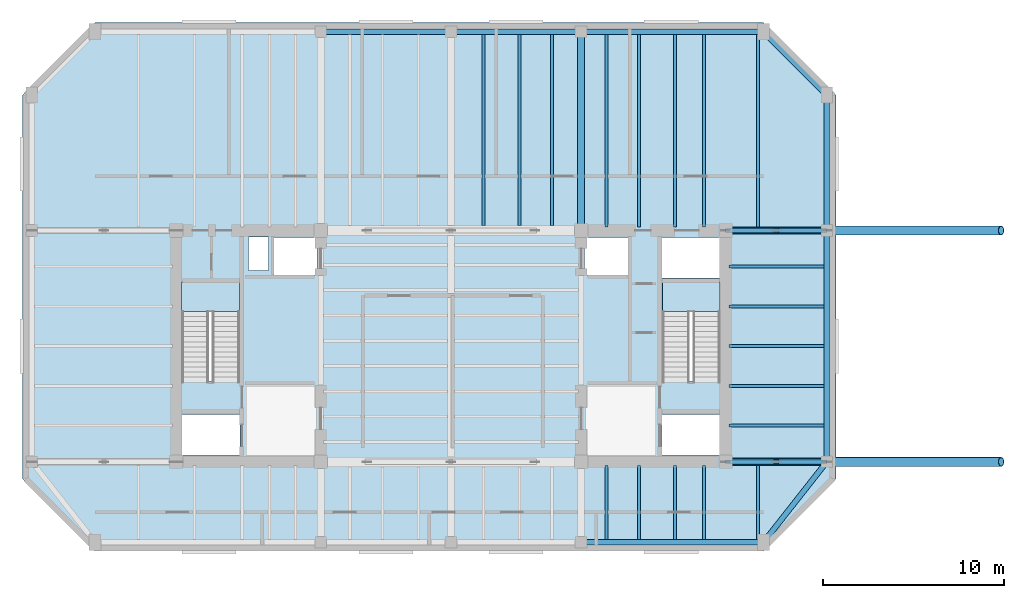
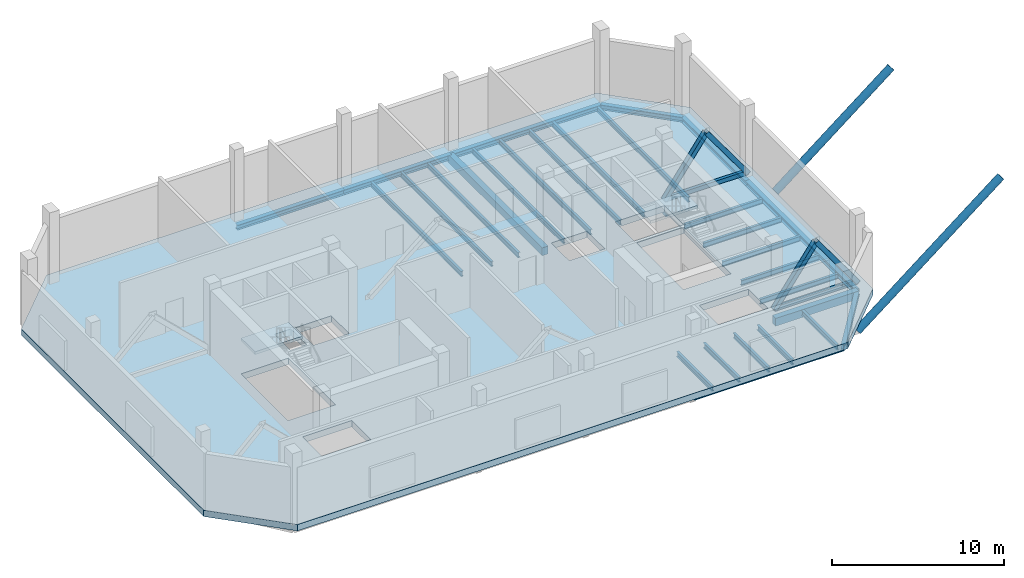
# One storey, part 2 of 9: 29 beams, 8 members, 3 slabs, 2 elements without a shape of their own.
"""IFC4 building model written with IfcOpenShell, lengths in metres."""

from ifc_helpers import new_model, si_unit, direction, frame, origin, origin_2d, place, context, subcontext, project, spatial, polyline, rectangle, hollow_rectangle, hollow_circle, i_section, outline, extrude, material, layer, layer_set, material_profile, profile_set, type_object, element, aggregate, save


model = new_model("IFC4")

# Units and contexts
model_context = context("Model", 3, precision=1e-05, world=origin(), true_north=direction((0.0, 1.0)))
body_context = subcontext(model_context, "Body", "Model", "MODEL_VIEW")
ifc_project = project(units=[si_unit("LENGTHUNIT", "METRE"), si_unit("AREAUNIT", "SQUARE_METRE"), si_unit("VOLUMEUNIT", "CUBIC_METRE"), si_unit("PLANEANGLEUNIT", "RADIAN"), si_unit("MASSUNIT", "GRAM", prefix="KILO")], contexts=[model_context])

# Site, building, storey
site_placement = place(None, origin())
site = spatial("IfcSite", under=ifc_project, at=site_placement, CompositionType="ELEMENT")
building_placement = place(site_placement, origin())
building = spatial("IfcBuilding", under=site, at=building_placement, Name="Kranthara Brick Stack", CompositionType="ELEMENT")
storey_placement = place(building_placement, frame((0.0, 0.0, 282.300048828125)))
storey = spatial("IfcBuildingStorey", under=building, at=storey_placement, Name="L75", CompositionType="ELEMENT", Elevation=282.300048828125)

# Beams
ifc_material_1 = material(Name="Post-tensioned concrete C45/55", Category="concrete")
ifc_material_profile_1 = material_profile(ifc_material_1, rectangle(XDim=0.39990234375, YDim=0.550048828125, at=origin_2d()), Name="PT 400x550")
ifc_profile_set_1 = profile_set([ifc_material_profile_1], Name="Post-tensioned concrete C45/55")
beam_type_1 = type_object("IfcBeamType", Name="BM-FLR-PT550", PredefinedType="BEAM", material=ifc_profile_set_1)
beam_1_placement = place(storey_placement, frame((35.199951171875, 33.60009765625, -0.72509765625), z_axis=(0.0, 1.0, 0.0), x_axis=(-1.0, 0.0, 0.0)))
element("IfcBeam", 1, at=beam_1_placement, inside=storey, type_object=beam_type_1, Name="L75 Primary Grid Girder 027", PredefinedType="BEAM", context=body_context, shape_type="SweptSolid", body=[
    extrude(rectangle(XDim=0.39990234375, YDim=0.550048828125, at=origin_2d()), origin(), (0.0, 0.0, 1.0), 11.0),
])
for number, where, z_axis, x_axis, name in (
    (2, (43.199951171875, 20.800048828125, -0.72509765625), (1.0, 0.0, 0.0), (0.0, 1.0, 0.0), "L75 Primary Grid Girder 029"),
    (3, (43.199951171875, 33.60009765625, -0.72509765625), (1.0, 0.0, 0.0), (0.0, 1.0, 0.0), "L75 Primary Grid Girder 031"),
):
    element("IfcBeam", number, at=place(storey_placement, frame(where, z_axis=z_axis, x_axis=x_axis)), inside=storey, type_object=beam_type_1, Name=name, PredefinedType="BEAM", context=body_context, shape_type="SweptSolid", body=[
        extrude(rectangle(XDim=0.39990234375, YDim=0.550048828125, at=origin_2d()), origin(), (0.0, 0.0, 1.0), 5.60009765625),
    ])
ifc_material_2 = material(Name="Steel S355", Category="steel")
ifc_material_profile_2 = material_profile(ifc_material_2, i_section(OverallWidth=0.169921875, OverallDepth=0.360107421875, WebThickness=0.008056640625, FlangeThickness=0.0126953125, at=origin_2d()), Name="IPE 360")
ifc_profile_set_2 = profile_set([ifc_material_profile_2], Name="Steel S355")
beam_type_2 = type_object("IfcBeamType", Name="BM-JST-IPE360", PredefinedType="JOIST", material=ifc_profile_set_2)
for number, where, z_axis, x_axis, name in (
    (4, (29.800048828125, 33.875, -0.630126953125), (0.0, 1.0, 0.0), (-1.0, 0.0, 0.0), "L75 North Wing Floor Joist 067"),
    (5, (31.800048828125, 33.875, -0.630126953125), (0.0, 1.0, 0.0), (-1.0, 0.0, 0.0), "L75 North Wing Floor Joist 069"),
    (6, (33.60009765625, 33.875, -0.630126953125), (0.0, 1.0, 0.0), (-1.0, 0.0, 0.0), "L75 North Wing Floor Joist 071"),
):
    element("IfcBeam", number, at=place(storey_placement, frame(where, z_axis=z_axis, x_axis=x_axis)), inside=storey, type_object=beam_type_2, Name=name, PredefinedType="JOIST", context=body_context, shape_type="SweptSolid", body=[
        extrude(i_section(OverallWidth=0.169921875, OverallDepth=0.360107421875, WebThickness=0.008056640625, FlangeThickness=0.0126953125, at=origin_2d()), origin(), (0.0, 0.0, 1.0), 10.574951171875),
    ])
beam_2_placement = place(storey_placement, frame((36.60009765625, 16.5, -0.630126953125), z_axis=(0.0, 1.0, 0.0), x_axis=(-1.0, 0.0, 0.0)))
element("IfcBeam", 7, at=beam_2_placement, inside=storey, type_object=beam_type_2, Name="L75 South Wing Floor Joist 072", PredefinedType="JOIST", context=body_context, shape_type="SweptSolid", body=[
    extrude(i_section(OverallWidth=0.169921875, OverallDepth=0.360107421875, WebThickness=0.008056640625, FlangeThickness=0.0126953125, at=origin_2d()), origin(), (0.0, 0.0, 1.0), 4.10009765625),
])
beam_3_placement = place(storey_placement, frame((36.60009765625, 33.800048828125, -0.630126953125), z_axis=(0.0, 1.0, 0.0), x_axis=(-1.0, 0.0, 0.0)))
element("IfcBeam", 8, at=beam_3_placement, inside=storey, type_object=beam_type_2, Name="L75 North Wing Floor Joist 073", PredefinedType="JOIST", context=body_context, shape_type="SweptSolid", body=[
    extrude(i_section(OverallWidth=0.169921875, OverallDepth=0.360107421875, WebThickness=0.008056640625, FlangeThickness=0.0126953125, at=origin_2d()), origin(), (0.0, 0.0, 1.0), 10.64990234375),
])
beam_4_placement = place(storey_placement, frame((38.39990234375, 16.5, -0.630126953125), z_axis=(0.0, 1.0, 0.0), x_axis=(-1.0, 0.0, 0.0)))
element("IfcBeam", 9, at=beam_4_placement, inside=storey, type_object=beam_type_2, Name="L75 South Wing Floor Joist 074", PredefinedType="JOIST", context=body_context, shape_type="SweptSolid", body=[
    extrude(i_section(OverallWidth=0.169921875, OverallDepth=0.360107421875, WebThickness=0.008056640625, FlangeThickness=0.0126953125, at=origin_2d()), origin(), (0.0, 0.0, 1.0), 4.10009765625),
])
beam_5_placement = place(storey_placement, frame((38.39990234375, 33.800048828125, -0.630126953125), z_axis=(0.0, 1.0, 0.0), x_axis=(-1.0, 0.0, 0.0)))
element("IfcBeam", 10, at=beam_5_placement, inside=storey, type_object=beam_type_2, Name="L75 North Wing Floor Joist 075", PredefinedType="JOIST", context=body_context, shape_type="SweptSolid", body=[
    extrude(i_section(OverallWidth=0.169921875, OverallDepth=0.360107421875, WebThickness=0.008056640625, FlangeThickness=0.0126953125, at=origin_2d()), origin(), (0.0, 0.0, 1.0), 10.64990234375),
])
beam_6_placement = place(storey_placement, frame((40.39990234375, 16.5, -0.630126953125), z_axis=(0.0, 1.0, 0.0), x_axis=(-1.0, 0.0, 0.0)))
element("IfcBeam", 11, at=beam_6_placement, inside=storey, type_object=beam_type_2, Name="L75 South Wing Floor Joist 076", PredefinedType="JOIST", context=body_context, shape_type="SweptSolid", body=[
    extrude(i_section(OverallWidth=0.169921875, OverallDepth=0.360107421875, WebThickness=0.008056640625, FlangeThickness=0.0126953125, at=origin_2d()), origin(), (0.0, 0.0, 1.0), 4.10009765625),
])
beam_7_placement = place(storey_placement, frame((40.39990234375, 33.800048828125, -0.630126953125), z_axis=(0.0, 1.0, 0.0), x_axis=(-1.0, 0.0, 0.0)))
element("IfcBeam", 12, at=beam_7_placement, inside=storey, type_object=beam_type_2, Name="L75 North Wing Floor Joist 077", PredefinedType="JOIST", context=body_context, shape_type="SweptSolid", body=[
    extrude(i_section(OverallWidth=0.169921875, OverallDepth=0.360107421875, WebThickness=0.008056640625, FlangeThickness=0.0126953125, at=origin_2d()), origin(), (0.0, 0.0, 1.0), 10.64990234375),
])
beam_8_placement = place(storey_placement, frame((42.0, 16.5, -0.630126953125), z_axis=(0.0, 1.0, 0.0), x_axis=(-1.0, 0.0, 0.0)))
element("IfcBeam", 13, at=beam_8_placement, inside=storey, type_object=beam_type_2, Name="L75 South Wing Floor Joist 078", PredefinedType="JOIST", context=body_context, shape_type="SweptSolid", body=[
    extrude(i_section(OverallWidth=0.169921875, OverallDepth=0.360107421875, WebThickness=0.008056640625, FlangeThickness=0.0126953125, at=origin_2d()), origin(), (0.0, 0.0, 1.0), 4.10009765625),
])
beam_9_placement = place(storey_placement, frame((42.0, 33.800048828125, -0.630126953125), z_axis=(0.0, 1.0, 0.0), x_axis=(-1.0, 0.0, 0.0)))
element("IfcBeam", 14, at=beam_9_placement, inside=storey, type_object=beam_type_2, Name="L75 North Wing Floor Joist 079", PredefinedType="JOIST", context=body_context, shape_type="SweptSolid", body=[
    extrude(i_section(OverallWidth=0.169921875, OverallDepth=0.360107421875, WebThickness=0.008056640625, FlangeThickness=0.0126953125, at=origin_2d()), origin(), (0.0, 0.0, 1.0), 10.64990234375),
])
beam_10_placement = place(storey_placement, frame((45.0, 16.5, -0.630126953125), z_axis=(0.0, 1.0, 0.0), x_axis=(-1.0, 0.0, 0.0)))
element("IfcBeam", 15, at=beam_10_placement, inside=storey, type_object=beam_type_2, Name="L75 South Wing Floor Joist 080", PredefinedType="JOIST", context=body_context, shape_type="SweptSolid", body=[
    extrude(i_section(OverallWidth=0.169921875, OverallDepth=0.360107421875, WebThickness=0.008056640625, FlangeThickness=0.0126953125, at=origin_2d()), origin(), (0.0, 0.0, 1.0), 4.10009765625),
])
beam_11_placement = place(storey_placement, frame((45.0, 33.800048828125, -0.630126953125), z_axis=(0.0, 1.0, 0.0), x_axis=(-1.0, 0.0, 0.0)))
element("IfcBeam", 16, at=beam_11_placement, inside=storey, type_object=beam_type_2, Name="L75 North Wing Floor Joist 081", PredefinedType="JOIST", context=body_context, shape_type="SweptSolid", body=[
    extrude(i_section(OverallWidth=0.169921875, OverallDepth=0.360107421875, WebThickness=0.008056640625, FlangeThickness=0.0126953125, at=origin_2d()), origin(), (0.0, 0.0, 1.0), 10.64990234375),
])
for number, where, z_axis, x_axis, name in (
    (17, (43.39990234375, 22.800048828125, -0.630126953125), (1.0, 0.0, 0.0), (0.0, 1.0, 0.0), "L75 East Wing Floor Joist 083"),
    (18, (43.39990234375, 25.0, -0.630126953125), (1.0, 0.0, 0.0), (0.0, 1.0, 0.0), "L75 East Wing Floor Joist 085"),
    (19, (43.39990234375, 27.199951171875, -0.630126953125), (1.0, 0.0, 0.0), (0.0, 1.0, 0.0), "L75 East Wing Floor Joist 087"),
    (20, (43.39990234375, 29.39990234375, -0.630126953125), (1.0, 0.0, 0.0), (0.0, 1.0, 0.0), "L75 East Wing Floor Joist 089"),
    (21, (43.39990234375, 31.60009765625, -0.630126953125), (1.0, 0.0, 0.0), (0.0, 1.0, 0.0), "L75 East Wing Floor Joist 091"),
):
    element("IfcBeam", number, at=place(storey_placement, frame(where, z_axis=z_axis, x_axis=x_axis)), inside=storey, type_object=beam_type_2, Name=name, PredefinedType="JOIST", context=body_context, shape_type="SweptSolid", body=[
        extrude(i_section(OverallWidth=0.169921875, OverallDepth=0.360107421875, WebThickness=0.008056640625, FlangeThickness=0.0126953125, at=origin_2d()), origin(), (0.0, 0.0, 1.0), 5.25),
    ])
ifc_material_3 = material(Name="Steel S355", Category="steel")
ifc_material_profile_3 = material_profile(ifc_material_3, i_section(OverallWidth=0.300048828125, OverallDepth=0.360107421875, WebThickness=0.012451171875, FlangeThickness=0.0224609375, at=origin_2d()), Name="HEB 360")
ifc_profile_set_3 = profile_set([ifc_material_profile_3], Name="Steel S355")
beam_type_3 = type_object("IfcBeamType", Name="BM-STL-HEB360", PredefinedType="SPANDREL", material=ifc_profile_set_3)
beam_12_placement = place(storey_placement, frame((35.199951171875, 16.35009765625, -0.630126953125), z_axis=(1.0, 0.0, 0.0), x_axis=(0.0, 1.0, 0.0)))
element("IfcBeam", 22, at=beam_12_placement, inside=storey, type_object=beam_type_3, Name="L75 Perimeter Spandrel Beam 008", PredefinedType="SPANDREL", context=body_context, shape_type="SweptSolid", body=[
    extrude(i_section(OverallWidth=0.300048828125, OverallDepth=0.360107421875, WebThickness=0.012451171875, FlangeThickness=0.0224609375, at=origin_2d()), origin(), (0.0, 0.0, 1.0), 10.10009765625),
])
for number, where, z_axis, x_axis, name in (
    (23, (20.800048828125, 44.60009765625, -0.630126953125), (1.0, 0.0, 0.0), (0.0, 1.0, 0.0), "L75 Perimeter Spandrel Beam 010"),
    (24, (28.0, 44.60009765625, -0.630126953125), (1.0, 0.0, 0.0), (0.0, 1.0, 0.0), "L75 Perimeter Spandrel Beam 011"),
):
    element("IfcBeam", number, at=place(storey_placement, frame(where, z_axis=z_axis, x_axis=x_axis)), inside=storey, type_object=beam_type_3, Name=name, PredefinedType="SPANDREL", context=body_context, shape_type="SweptSolid", body=[
        extrude(i_section(OverallWidth=0.300048828125, OverallDepth=0.360107421875, WebThickness=0.012451171875, FlangeThickness=0.0224609375, at=origin_2d()), origin(), (0.0, 0.0, 1.0), 7.199951171875),
    ])
beam_13_placement = place(storey_placement, frame((35.199951171875, 44.60009765625, -0.630126953125), z_axis=(1.0, 0.0, 0.0), x_axis=(0.0, 1.0, 0.0)))
element("IfcBeam", 25, at=beam_13_placement, inside=storey, type_object=beam_type_3, Name="L75 Perimeter Spandrel Beam 012", PredefinedType="SPANDREL", context=body_context, shape_type="SweptSolid", body=[
    extrude(i_section(OverallWidth=0.300048828125, OverallDepth=0.360107421875, WebThickness=0.012451171875, FlangeThickness=0.0224609375, at=origin_2d()), origin(), (0.0, 0.0, 1.0), 10.10009765625),
])
beam_14_placement = place(storey_placement, frame((48.800048828125, 20.800048828125, -0.630126953125), z_axis=(0.0, 1.0, 0.0), x_axis=(-1.0, 0.0, 0.0)))
element("IfcBeam", 26, at=beam_14_placement, inside=storey, type_object=beam_type_3, Name="L75 Perimeter Spandrel Beam 015", PredefinedType="SPANDREL", context=body_context, shape_type="SweptSolid", body=[
    extrude(i_section(OverallWidth=0.300048828125, OverallDepth=0.360107421875, WebThickness=0.012451171875, FlangeThickness=0.0224609375, at=origin_2d()), origin(), (0.0, 0.0, 1.0), 12.800048828125),
])
beam_15_placement = place(storey_placement, frame((48.800048828125, 33.60009765625, -0.630126953125), z_axis=(0.0, 1.0, 0.0), x_axis=(-1.0, 0.0, 0.0)))
element("IfcBeam", 27, at=beam_15_placement, inside=storey, type_object=beam_type_3, Name="L75 Perimeter Spandrel Beam 016", PredefinedType="SPANDREL", context=body_context, shape_type="SweptSolid", body=[
    extrude(i_section(OverallWidth=0.300048828125, OverallDepth=0.360107421875, WebThickness=0.012451171875, FlangeThickness=0.0224609375, at=origin_2d()), origin(), (0.0, 0.0, 1.0), 7.5),
])
beam_16_placement = place(storey_placement, frame((45.300048828125, 16.35009765625, -0.630126953125), z_axis=(0.618215705636, 0.78600848679, 0.0), x_axis=(-0.78600848679, 0.618215705636, 0.0)))
element("IfcBeam", 28, at=beam_16_placement, inside=storey, type_object=beam_type_3, Name="L75 Chamfer Corner Spandrel 018", PredefinedType="SPANDREL", context=body_context, shape_type="SweptSolid", body=[
    extrude(i_section(OverallWidth=0.300048828125, OverallDepth=0.360107421875, WebThickness=0.012451171875, FlangeThickness=0.0224609375, at=origin_2d()), origin(), (0.0, 0.0, 1.0), 5.661376953125),
])
beam_17_placement = place(storey_placement, frame((45.300048828125, 44.60009765625, -0.630126953125), z_axis=(0.707106781187, -0.707106781187, 0.0), x_axis=(0.707106781187, 0.707106781187, 0.0)))
element("IfcBeam", 29, at=beam_17_placement, inside=storey, type_object=beam_type_3, Name="L75 Chamfer Corner Spandrel 020", PredefinedType="SPANDREL", context=body_context, shape_type="SweptSolid", body=[
    extrude(i_section(OverallWidth=0.300048828125, OverallDepth=0.360107421875, WebThickness=0.012451171875, FlangeThickness=0.0224609375, at=origin_2d()), origin(), (0.0, 0.0, 1.0), 4.94970703125),
])

# Members
ifc_material_4 = material(Name="Steel S355", Category="steel")
ifc_material_profile_4 = material_profile(ifc_material_4, hollow_rectangle(XDim=0.300048828125, YDim=0.300048828125, WallThickness=0.01611328125, at=origin_2d()), Name="SHS 300x300x16")
ifc_profile_set_4 = profile_set([ifc_material_profile_4], Name="Steel S355")
member_type_1 = type_object("IfcMemberType", Name="MB-BRC-SHS300", PredefinedType="BRACE", material=ifc_profile_set_4)
for number, where, z_axis, x_axis, name in (
    (30, (43.199951171875, 20.800048828125, 0.099853515625), (0.588168648391, 0.0, 0.808738301955), (0.0, 1.0, 0.0), "L75 Outrigger Truss Diagonal 03"),
    (31, (43.199951171875, 33.60009765625, 0.099853515625), (0.588168648391, 0.0, 0.808738301955), (0.0, 1.0, 0.0), "L75 Outrigger Truss Diagonal 04"),
    (32, (46.0, 20.800048828125, 3.949951171875), (0.588168648391, 0.0, -0.808738301955), (0.0, 1.0, 0.0), "L75 Outrigger Truss Diagonal 07"),
    (33, (46.0, 33.60009765625, 3.949951171875), (0.588168648391, 0.0, -0.808738301955), (0.0, 1.0, 0.0), "L75 Outrigger Truss Diagonal 08"),
):
    element("IfcMember", number, at=place(storey_placement, frame(where, z_axis=z_axis, x_axis=x_axis)), inside=storey, type_object=member_type_1, Name=name, PredefinedType="BRACE", context=body_context, shape_type="SweptSolid", body=[
        extrude(hollow_rectangle(XDim=0.300048828125, YDim=0.300048828125, WallThickness=0.01611328125, at=origin_2d()), origin(), (0.0, 0.0, 1.0), 4.7607421875),
    ])
ifc_material_5 = material(Name="Steel S355", Category="steel")
ifc_material_profile_5 = material_profile(ifc_material_5, hollow_rectangle(XDim=0.199951171875, YDim=0.39990234375, WallThickness=0.01611328125, at=origin_2d()), Name="RHS 200x400x16")
ifc_profile_set_5 = profile_set([ifc_material_profile_5], Name="Steel S355")
member_type_2 = type_object("IfcMemberType", Name="MB-CHD-RHS400", PredefinedType="CHORD", material=ifc_profile_set_5)
for number, where, z_axis, x_axis, name in (
    (34, (43.199951171875, 20.800048828125, 0.099853515625), (1.0, 0.0, 0.0), (0.0, 1.0, 0.0), "L75 Outrigger Bottom Chord 03"),
    (35, (43.199951171875, 33.60009765625, 0.099853515625), (1.0, 0.0, 0.0), (0.0, 1.0, 0.0), "L75 Outrigger Bottom Chord 04"),
):
    element("IfcMember", number, at=place(storey_placement, frame(where, z_axis=z_axis, x_axis=x_axis)), inside=storey, type_object=member_type_2, Name=name, PredefinedType="CHORD", context=body_context, shape_type="SweptSolid", body=[
        extrude(hollow_rectangle(XDim=0.199951171875, YDim=0.39990234375, WallThickness=0.01611328125, at=origin_2d()), origin(), (0.0, 0.0, 1.0), 5.60009765625),
    ])
ifc_material_6 = material(Name="Steel S460", Category="steel")
ifc_material_profile_6 = material_profile(ifc_material_6, hollow_circle(Radius=0.25390625, WallThickness=0.02490234375, at=origin_2d()), Name="CHS 508x25")
ifc_profile_set_6 = profile_set([ifc_material_profile_6], Name="Steel S460")
member_type_3 = type_object("IfcMemberType", Name="MB-STR-CHS508", PredefinedType="STRUT", material=ifc_profile_set_6)
for number, where, z_axis, x_axis, name in (
    (36, (48.800048828125, 20.800048828125, -3.400146484375), (0.785604674402, 0.0, 0.618728773823), (0.0, 1.0, 0.0), "L76 Sky Pool Raked Cantilever Strut 1"),
    (37, (48.800048828125, 33.60009765625, -3.400146484375), (0.785604674402, 0.0, 0.618728773823), (0.0, 1.0, 0.0), "L76 Sky Pool Raked Cantilever Strut 2"),
):
    element("IfcMember", number, at=place(storey_placement, frame(where, z_axis=z_axis, x_axis=x_axis)), inside=storey, type_object=member_type_3, Name=name, PredefinedType="STRUT", context=body_context, shape_type="SweptSolid", body=[
        extrude(hollow_circle(Radius=0.25390625, WallThickness=0.02490234375, at=origin_2d()), origin(), (0.0, 0.0, 1.0), 12.283447265625),
    ])

# Stair, slab
ifc_material_7 = material(Name="Concrete C45/55", Category="concrete")
stair_type = type_object("IfcStairType", Name="ST-CORE-30R", PredefinedType="HALF_TURN_STAIR", material=ifc_material_7)
stair_1_placement = place(storey_placement, origin())
stair_1 = element("IfcStair", 38, at=stair_1_placement, inside=storey, type_object=stair_type, Name="L75 West Core Protected Exit Stair ST01", PredefinedType="HALF_TURN_STAIR")
ifc_material_8 = material(Name="Concrete C45/55", Category="concrete")
ifc_layer_1 = layer(ifc_material_8, 0.199951171875)
ifc_layer_set_1 = layer_set([ifc_layer_1], Name="Concrete C45/55")
slab_type_1 = type_object("IfcSlabType", Name="SLB-LANDING-200", PredefinedType="LANDING", material=ifc_layer_set_1)
slab_1_placement = place(storey_placement, frame((0.0, 0.0, 2.349853515625)))
slab_1 = element("IfcSlab", 39, at=slab_1_placement, type_object=slab_type_1, Name="ST01 landing 1", PredefinedType="LANDING", context=body_context, shape_type="SweptSolid", body=[
    extrude(outline(polyline([(16.300048828125, 29.1201171875), (16.300048828125, 30.75), (13.10009765625, 30.75), (13.10009765625, 29.1201171875), (16.300048828125, 29.1201171875)])), origin(), (0.0, 0.0, 1.0), 0.2001953125),
])
aggregate(stair_1, [slab_1])

stair_2_placement = place(storey_placement, origin())
stair_2 = element("IfcStair", 40, at=stair_2_placement, inside=storey, type_object=stair_type, Name="L75 East Core Protected Exit Stair ST02", PredefinedType="HALF_TURN_STAIR")
slab_2_placement = place(storey_placement, frame((0.0, 0.0, 2.349853515625)))
slab_2 = element("IfcSlab", 41, at=slab_2_placement, type_object=slab_type_1, Name="ST02 landing 1", PredefinedType="LANDING", context=body_context, shape_type="SweptSolid", body=[
    extrude(outline(polyline([(42.89990234375, 29.1201171875), (42.89990234375, 30.75), (39.699951171875, 30.75), (39.699951171875, 29.1201171875), (42.89990234375, 29.1201171875)])), origin(), (0.0, 0.0, 1.0), 0.2001953125),
])
aggregate(stair_2, [slab_2])

# Slab
ifc_material_9 = material(Name="Post-tensioned concrete C50/60", Category="concrete")
ifc_layer_2 = layer(ifc_material_9, 0.449951171875)
ifc_layer_set_2 = layer_set([ifc_layer_2], Name="Post-tensioned concrete C50/60")
slab_type_2 = type_object("IfcSlabType", Name="SLB-TRANS-450", PredefinedType="FLOOR", material=ifc_layer_set_2)
slab_3_placement = place(storey_placement, frame((0.0, 0.0, -0.449951171875)))
element("IfcSlab", 42, at=slab_3_placement, inside=storey, type_object=slab_type_2, Name="L75 Structural Floor Plate", PredefinedType="FLOOR", context=body_context, shape_type="SweptSolid", body=[
    extrude(outline(polyline([(8.300048828125, 15.85009765625), (45.300048828125, 15.85009765625), (49.300048828125, 19.85009765625), (49.300048828125, 41.10009765625), (45.300048828125, 45.10009765625), (8.300048828125, 45.10009765625), (4.300048828125, 41.10009765625), (4.300048828125, 19.85009765625), (8.300048828125, 15.85009765625)]), holes=[polyline([(13.10009765625, 25.280029296875), (16.300048828125, 25.280029296875), (16.300048828125, 30.75), (13.10009765625, 30.75), (13.10009765625, 25.280029296875)]), polyline([(39.699951171875, 25.280029296875), (42.89990234375, 25.280029296875), (42.89990234375, 30.75), (39.699951171875, 30.75), (39.699951171875, 25.280029296875)]), polyline([(13.0, 21.179931640625), (16.320068359375, 21.179931640625), (16.320068359375, 23.419921875), (13.0, 23.419921875), (13.0, 21.179931640625)]), polyline([(39.679931640625, 21.179931640625), (43.0, 21.179931640625), (43.0, 23.419921875), (39.679931640625, 23.419921875), (39.679931640625, 21.179931640625)]), polyline([(39.679931640625, 30.97998046875), (43.0, 30.97998046875), (43.0, 33.219970703125), (39.679931640625, 33.219970703125), (39.679931640625, 30.97998046875)]), polyline([(18.199951171875, 31.14990234375), (20.60009765625, 31.14990234375), (20.60009765625, 33.219970703125), (18.199951171875, 33.219970703125), (18.199951171875, 31.14990234375)]), polyline([(35.39990234375, 31.14990234375), (37.800048828125, 31.14990234375), (37.800048828125, 33.219970703125), (35.39990234375, 33.219970703125), (35.39990234375, 31.14990234375)]), polyline([(16.800048828125, 31.39990234375), (17.89990234375, 31.39990234375), (17.89990234375, 33.25), (16.800048828125, 33.25), (16.800048828125, 31.39990234375)])]), origin(), (0.0, 0.0, 1.0), 0.449951171875),
])

save(model, "model.ifc")
